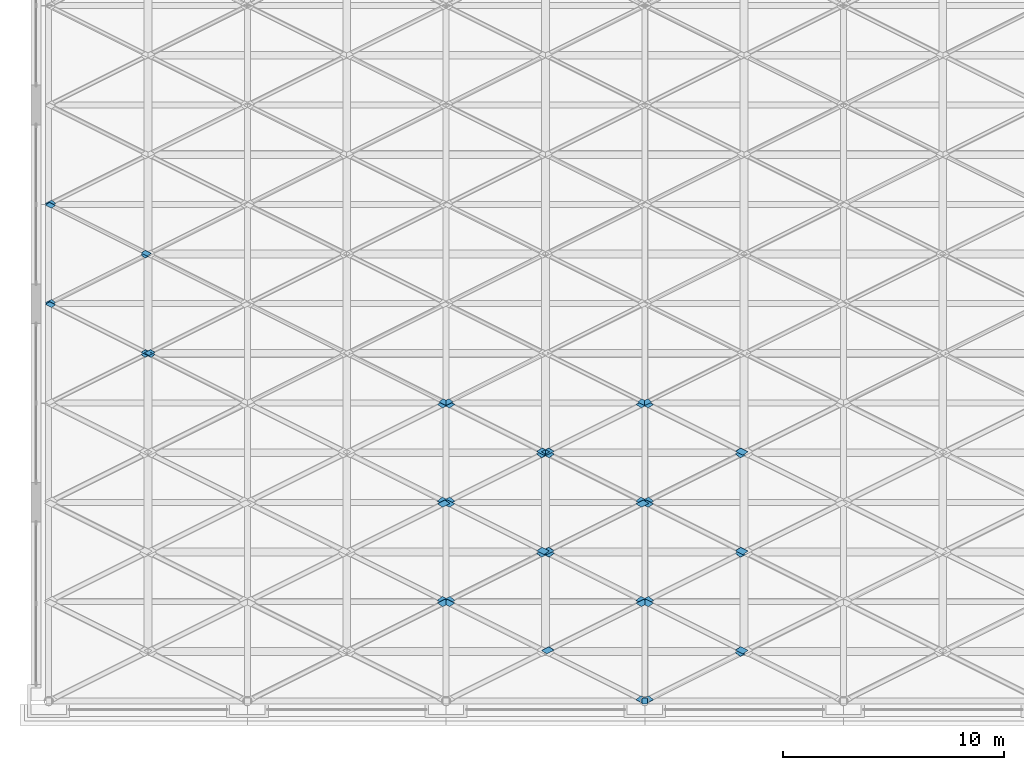
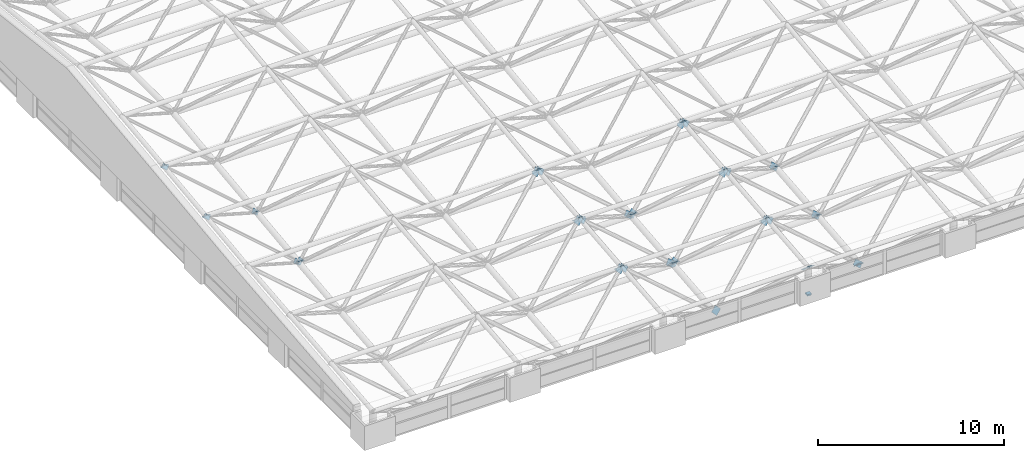
# One storey, part 28 of 53: 52 discrete accessories.
"""IFC4 building model written with IfcOpenShell, lengths in metres."""

from ifc_helpers import new_model, si_unit, direction, frame, origin, origin_2d, place, context, subcontext, project, spatial, polyline, rectangle, outline, extrude, material, layer, layer_set, type_object, element, save


model = new_model("IFC4")

# Units and contexts
model_context = context("Model", 3, precision=1e-05, world=origin(), true_north=direction((0.0, 1.0)))
body_context = subcontext(model_context, "Body", "Model", "MODEL_VIEW")
ifc_project = project(units=[si_unit("LENGTHUNIT", "METRE"), si_unit("AREAUNIT", "SQUARE_METRE"), si_unit("VOLUMEUNIT", "CUBIC_METRE"), si_unit("PLANEANGLEUNIT", "RADIAN"), si_unit("MASSUNIT", "GRAM", prefix="KILO")], contexts=[model_context])

# Site, building, storey
site_placement = place(None, origin())
site = spatial("IfcSite", under=ifc_project, at=site_placement, CompositionType="ELEMENT")
building_placement = place(site_placement, origin())
building = spatial("IfcBuilding", under=site, at=building_placement, Name="Aravalli Gate Trade Fair Centre", CompositionType="ELEMENT")
storey_placement = place(building_placement, frame((0.0, 0.0, 25.199951171875)))
storey = spatial("IfcBuildingStorey", under=building, at=storey_placement, Name="ROOF LEVEL 2", CompositionType="ELEMENT", Elevation=25.199951171875)

# Discrete accessories
ifc_material = material(Name="Steel E350", Category="steel")
discrete_accessory_type_1 = type_object("IfcDiscreteAccessoryType", Name="Bearing shoe fixed", PredefinedType="BRACKET", material=ifc_material)
discrete_accessory_1_placement = place(storey_placement, frame((33.0, 46.0, 0.0), z_axis=(0.0, 0.0, 1.0), x_axis=(1.0, 0.0, 0.0)))
element("IfcDiscreteAccessory", 1, at=discrete_accessory_1_placement, inside=storey, type_object=discrete_accessory_type_1, Name="Bearing shoe A4 (fixed)", PredefinedType="BRACKET", context=body_context, shape_type="SweptSolid", body=[
    extrude(rectangle(XDim=0.260009765625, YDim=0.260009765625, at=origin_2d()), origin(), (0.0, 0.0, 1.0), 0.10009765625),
])
ifc_layer_1 = layer(ifc_material, 0.011962890625)
ifc_layer_set_1 = layer_set([ifc_layer_1], Name="Steel E350")
discrete_accessory_type_2 = type_object("IfcDiscreteAccessoryType", Name="Gusset plate 291 x 291 x 12", PredefinedType="USERDEFINED", material=ifc_layer_set_1)
discrete_accessory_2_placement = place(storey_placement, frame((10.181884765625, 61.713134765625, 0.479248046875), z_axis=(0.000260921892, 0.770886805608, 0.636972106814), x_axis=(0.786233024012, 0.393446097564, -0.476484837392)))
element("IfcDiscreteAccessory", 2, at=discrete_accessory_2_placement, inside=storey, type_object=discrete_accessory_type_2, Name="Gusset plate Space frame web diagonal D2A end B", ObjectType="GUSSET PLATE", PredefinedType="USERDEFINED", context=body_context, shape_type="SweptSolid", body=[
    extrude(outline(polyline([(0.0, 0.0), (0.3704496717105797, -1.3877787807814457e-17), (0.37041105616888137, -0.29044341854454775), (-0.00023056696357631745, -0.2902925567125407), (0.0, 0.0)])), origin(), (0.0, 0.0, -1.0), 0.011962890625),
])
for number, where, z_axis, x_axis, name in (
    (3, (24.138916015625, 59.691650390625, 2.92724609375), (-6.9765199e-05, 0.771154883137, 0.636647580178), (-0.786484474244, -0.393242254842, 0.476238071536), "Gusset plate Space frame web diagonal D2A end A"),
    (4, (33.138916015625, 59.691650390625, 2.92724609375), (-6.9765199e-05, 0.771154883137, 0.636647580178), (-0.786484474244, -0.393242254842, 0.476238071536), "Gusset plate Space frame web diagonal D2A end A"),
    (5, (6.138916015625, 64.191650390625, 3.477294921875), (-6.9765199e-05, 0.771154883137, 0.636647580178), (-0.786484474244, -0.393242254842, 0.476238071536), "Gusset plate Space frame web diagonal D2A end A"),
):
    element("IfcDiscreteAccessory", number, at=place(storey_placement, frame(where, z_axis=z_axis, x_axis=x_axis)), inside=storey, type_object=discrete_accessory_type_2, Name=name, ObjectType="GUSSET PLATE", PredefinedType="USERDEFINED", context=body_context, shape_type="SweptSolid", body=[
        extrude(outline(polyline([(0.0, 0.0), (0.37064165383501635, -1.3877787807814457e-17), (0.3706783195979393, 0.29059144692340316), (0.00022867857401766278, 0.2904406632211646), (0.0, 0.0)])), origin(), (0.0, 0.0, -1.0), 0.011962890625),
    ])
discrete_accessory_3_placement = place(storey_placement, frame((10.181884765625, 66.213134765625, 1.029052734375), z_axis=(-6.9765199e-05, 0.771154883137, 0.636647580178), x_axis=(0.786233023991, 0.393446013556, -0.476484906794)))
element("IfcDiscreteAccessory", 6, at=discrete_accessory_3_placement, inside=storey, type_object=discrete_accessory_type_2, Name="Gusset plate Space frame web diagonal D2A end B", ObjectType="GUSSET PLATE", PredefinedType="USERDEFINED", context=body_context, shape_type="SweptSolid", body=[
    extrude(outline(polyline([(0.0, 0.0), (0.37044967171058096, -2.7755575615628914e-17), (0.3702947268495056, -0.290591407927876), (-0.0003468962829482891, -0.29044054608337494), (0.0, 0.0)])), origin(), (0.0, 0.0, -1.0), 0.011962890625),
])
discrete_accessory_4_placement = place(storey_placement, frame((10.638916015625, 61.567626953125, 0.6552734375), z_axis=(-0.000260921892, 0.770886805608, 0.636972106814), x_axis=(-0.786484474223, 0.393242170877, -0.476238140902)))
element("IfcDiscreteAccessory", 7, at=discrete_accessory_4_placement, inside=storey, type_object=discrete_accessory_type_2, Name="Gusset plate Space frame web diagonal D2B end B", ObjectType="GUSSET PLATE", PredefinedType="USERDEFINED", context=body_context, shape_type="SweptSolid", body=[
    extrude(outline(polyline([(0.0, 0.0), (0.37064165383501513, 1.3877787807814457e-17), (0.37056205053393565, -0.29044341020294784), (0.00011240951001027788, -0.2902926265131968), (0.0, 0.0)])), origin(), (0.0, 0.0, -1.0), 0.011962890625),
])
for number, where, z_axis, x_axis, name in (
    (8, (23.681884765625, 59.546142578125, 3.103515625), (6.9765199e-05, 0.771154883137, 0.636647580178), (0.786233023991, -0.393446013556, 0.476484906794), "Gusset plate Space frame web diagonal D2B end A"),
    (9, (32.681884765625, 59.546142578125, 3.103515625), (6.9765199e-05, 0.771154883137, 0.636647580178), (0.786233023991, -0.393446013556, 0.476484906794), "Gusset plate Space frame web diagonal D2B end A"),
):
    element("IfcDiscreteAccessory", number, at=place(storey_placement, frame(where, z_axis=z_axis, x_axis=x_axis)), inside=storey, type_object=discrete_accessory_type_2, Name=name, ObjectType="GUSSET PLATE", PredefinedType="USERDEFINED", context=body_context, shape_type="SweptSolid", body=[
        extrude(outline(polyline([(0.0, 0.0), (0.37044967171058096, 2.7755575615628914e-17), (0.3702947268495056, 0.290591407927876), (-0.0003468962829482891, 0.29044054608337494), (0.0, 0.0)])), origin(), (0.0, 0.0, -1.0), 0.011962890625),
    ])
discrete_accessory_5_placement = place(storey_placement, frame((6.12158203125, 63.824462890625, 3.455078125), z_axis=(-5.9235462e-05, -0.824355565608, 0.566072343383), x_axis=(-0.74910175115, 0.37503400761, 0.546073309694)))
element("IfcDiscreteAccessory", 10, at=discrete_accessory_5_placement, inside=storey, type_object=discrete_accessory_type_2, Name="Gusset plate Space frame web diagonal D2C end A", ObjectType="GUSSET PLATE", PredefinedType="USERDEFINED", context=body_context, shape_type="SweptSolid", body=[
    extrude(outline(polyline([(0.0, 0.0), (0.37056099002046733, -1.3877787807814457e-17), (0.3708571273038952, -0.29037522366126584), (0.00024656979283793623, -0.29068772448272373), (0.0, 0.0)])), origin(), (0.0, 0.0, -1.0), 0.011962890625),
])
discrete_accessory_6_placement = place(storey_placement, frame((10.18603515625, 61.792236328125, 0.4970703125), z_axis=(-0.000338926475, -0.824215745649, 0.566275807141), x_axis=(0.749929468437, -0.374811008577, -0.545089442403)))
element("IfcDiscreteAccessory", 11, at=discrete_accessory_6_placement, inside=storey, type_object=discrete_accessory_type_2, Name="Gusset plate Space frame web diagonal D2C end B", ObjectType="GUSSET PLATE", PredefinedType="USERDEFINED", context=body_context, shape_type="SweptSolid", body=[
    extrude(outline(polyline([(0.0, 0.0), (0.3704775800363668, 1.3877787807814457e-17), (0.37054452148215117, 0.29037536695413646), (0.00011695121776518491, 0.29068780553250784), (0.0, 0.0)])), origin(), (0.0, 0.0, -1.0), 0.011962890625),
])
discrete_accessory_7_placement = place(storey_placement, frame((6.12158203125, 68.324462890625, 4.005126953125), z_axis=(-5.9235462e-05, -0.824355565608, 0.566072343383), x_axis=(-0.74937131646, 0.374861397834, 0.545821914622)))
element("IfcDiscreteAccessory", 12, at=discrete_accessory_7_placement, inside=storey, type_object=discrete_accessory_type_2, Name="Gusset plate Space frame web diagonal D2C end A", ObjectType="GUSSET PLATE", PredefinedType="USERDEFINED", context=body_context, shape_type="SweptSolid", body=[
    extrude(outline(polyline([(0.0, 0.0), (0.3704277020236978, 0.0), (0.37073891027907924, -0.290526143046557), (-5.001029550574798e-06, -0.29053697785674903), (0.0, 0.0)])), origin(), (0.0, 0.0, -1.0), 0.011962890625),
])
discrete_accessory_8_placement = place(storey_placement, frame((10.18603515625, 66.292236328125, 1.047119140625), z_axis=(-0.000356491483, -0.824386555112, 0.566027102411), x_axis=(0.749660046124, -0.374830119882, -0.545446786108)))
element("IfcDiscreteAccessory", 13, at=discrete_accessory_8_placement, inside=storey, type_object=discrete_accessory_type_2, Name="Gusset plate Space frame web diagonal D2C end B", ObjectType="GUSSET PLATE", PredefinedType="USERDEFINED", context=body_context, shape_type="SweptSolid", body=[
    extrude(outline(polyline([(0.0, 0.0), (0.37061069570280314, 0.0), (0.3704262257769532, 0.2905262593825685), (-1.4474536517566916e-06, 0.29068783726431885), (0.0, 0.0)])), origin(), (0.0, 0.0, -1.0), 0.011962890625),
])
discrete_accessory_9_placement = place(storey_placement, frame((10.62158203125, 61.91552734375, 0.6767578125), z_axis=(0.000338926475, -0.824215745649, 0.566275807141), x_axis=(-0.74937124219, -0.375168906268, -0.545610697428)))
element("IfcDiscreteAccessory", 14, at=discrete_accessory_9_placement, inside=storey, type_object=discrete_accessory_type_2, Name="Gusset plate Space frame web diagonal D2D end B", ObjectType="GUSSET PLATE", PredefinedType="USERDEFINED", context=body_context, shape_type="SweptSolid", body=[
    extrude(outline(polyline([(0.0, 0.0), (0.3704277020281311, 2.7755575615628914e-17), (0.37060567875441897, 0.29037532012757467), (0.00012823049953920862, 0.29068780077573153), (0.0, 0.0)])), origin(), (0.0, 0.0, -1.0), 0.011962890625),
])
discrete_accessory_10_placement = place(storey_placement, frame((6.138671875, 68.69140625, 4.027099609375), z_axis=(0.000259688153, 0.77158167438, 0.636130216483), x_axis=(-0.786189750281, -0.392961505637, 0.476955901148)))
element("IfcDiscreteAccessory", 15, at=discrete_accessory_10_placement, inside=storey, type_object=discrete_accessory_type_2, Name="Gusset plate Space frame web diagonal D3A end A", ObjectType="GUSSET PLATE", PredefinedType="USERDEFINED", context=body_context, shape_type="SweptSolid", body=[
    extrude(outline(polyline([(0.0, 0.0), (0.37047009323158403, -1.3877787807814457e-17), (0.3706453255393415, 0.29059138113822636), (7.929444017017173e-05, 0.29046925152010133), (0.0, 0.0)])), origin(), (0.0, 0.0, -1.0), 0.011962890625),
])
ifc_layer_2 = layer(ifc_material, 0.011962890625)
ifc_layer_set_2 = layer_set([ifc_layer_2], Name="Steel E350")
discrete_accessory_type_3 = type_object("IfcDiscreteAccessoryType", Name="Gusset plate 367 x 367 x 12", PredefinedType="USERDEFINED", material=ifc_layer_set_2)
discrete_accessory_11_placement = place(storey_placement, frame((33.173095703125, 46.23876953125, 1.51513671875), z_axis=(-0.000106895173, 0.77673595722, 0.629826358082), x_axis=(-0.783044443413, -0.391795440284, 0.483050445204)))
element("IfcDiscreteAccessory", 16, at=discrete_accessory_11_placement, inside=storey, type_object=discrete_accessory_type_3, Name="Gusset plate Space frame web diagonal D1A end A", ObjectType="GUSSET PLATE", PredefinedType="USERDEFINED", context=body_context, shape_type="SweptSolid", body=[
    extrude(outline(polyline([(0.0, 0.0), (0.4467862821424865, 0.0), (0.4467086389724838, 0.36691841645657763), (-7.764317000273635e-05, 0.36691841645657763), (0.0, 0.0)])), origin(), (0.0, 0.0, -1.0), 0.011962890625),
])
discrete_accessory_12_placement = place(storey_placement, frame((37.0986328125, 48.201416015625, -0.905517578125), z_axis=(-0.000106895173, 0.77673595722, 0.629826358082), x_axis=(0.783044443413, 0.391795440284, -0.483050445204)))
element("IfcDiscreteAccessory", 17, at=discrete_accessory_12_placement, inside=storey, type_object=discrete_accessory_type_3, Name="Gusset plate Space frame web diagonal D1A end B", ObjectType="GUSSET PLATE", PredefinedType="USERDEFINED", context=body_context, shape_type="SweptSolid", body=[
    extrude(outline(polyline([(0.0, 0.0), (0.4467862821424865, 0.0), (0.4468639253124893, -0.3669184164565776), (7.764317000273635e-05, -0.36691841645657763), (0.0, 0.0)])), origin(), (0.0, 0.0, -1.0), 0.011962890625),
])
discrete_accessory_13_placement = place(storey_placement, frame((24.173095703125, 50.73876953125, 1.965087890625), z_axis=(-0.000106895173, 0.77673595722, 0.629826358082), x_axis=(-0.783044443413, -0.391795440284, 0.483050445204)))
element("IfcDiscreteAccessory", 18, at=discrete_accessory_13_placement, inside=storey, type_object=discrete_accessory_type_3, Name="Gusset plate Space frame web diagonal D1A end A", ObjectType="GUSSET PLATE", PredefinedType="USERDEFINED", context=body_context, shape_type="SweptSolid", body=[
    extrude(outline(polyline([(0.0, 0.0), (0.4467862821424865, 0.0), (0.4467086389724838, 0.36691841645657763), (-7.764317000273635e-05, 0.36691841645657763), (0.0, 0.0)])), origin(), (0.0, 0.0, -1.0), 0.011962890625),
])
discrete_accessory_14_placement = place(storey_placement, frame((28.0986328125, 52.701416015625, -0.45556640625), z_axis=(-0.000106895173, 0.77673595722, 0.629826358082), x_axis=(0.783044443413, 0.391795440284, -0.483050445204)))
element("IfcDiscreteAccessory", 19, at=discrete_accessory_14_placement, inside=storey, type_object=discrete_accessory_type_3, Name="Gusset plate Space frame web diagonal D1A end B", ObjectType="GUSSET PLATE", PredefinedType="USERDEFINED", context=body_context, shape_type="SweptSolid", body=[
    extrude(outline(polyline([(0.0, 0.0), (0.4467862821424865, 0.0), (0.4468639253124893, -0.3669184164565776), (7.764317000273635e-05, -0.36691841645657763), (0.0, 0.0)])), origin(), (0.0, 0.0, -1.0), 0.011962890625),
])
discrete_accessory_15_placement = place(storey_placement, frame((33.173095703125, 50.73876953125, 1.965087890625), z_axis=(-0.000106895173, 0.77673595722, 0.629826358082), x_axis=(-0.783044443413, -0.391795440284, 0.483050445204)))
element("IfcDiscreteAccessory", 20, at=discrete_accessory_15_placement, inside=storey, type_object=discrete_accessory_type_3, Name="Gusset plate Space frame web diagonal D1A end A", ObjectType="GUSSET PLATE", PredefinedType="USERDEFINED", context=body_context, shape_type="SweptSolid", body=[
    extrude(outline(polyline([(0.0, 0.0), (0.4467862821424865, 0.0), (0.4467086389724838, 0.36691841645657763), (-7.764317000273635e-05, 0.36691841645657763), (0.0, 0.0)])), origin(), (0.0, 0.0, -1.0), 0.011962890625),
])
discrete_accessory_16_placement = place(storey_placement, frame((37.0986328125, 52.701416015625, -0.45556640625), z_axis=(-0.000106895173, 0.77673595722, 0.629826358082), x_axis=(0.783044443413, 0.391795440284, -0.483050445204)))
element("IfcDiscreteAccessory", 21, at=discrete_accessory_16_placement, inside=storey, type_object=discrete_accessory_type_3, Name="Gusset plate Space frame web diagonal D1A end B", ObjectType="GUSSET PLATE", PredefinedType="USERDEFINED", context=body_context, shape_type="SweptSolid", body=[
    extrude(outline(polyline([(0.0, 0.0), (0.4467862821424865, 0.0), (0.4468639253124893, -0.3669184164565776), (7.764317000273635e-05, -0.36691841645657763), (0.0, 0.0)])), origin(), (0.0, 0.0, -1.0), 0.011962890625),
])
discrete_accessory_17_placement = place(storey_placement, frame((24.173095703125, 55.23876953125, 2.4150390625), z_axis=(-0.000106895173, 0.77673595722, 0.629826358082), x_axis=(-0.783044443413, -0.391795440284, 0.483050445204)))
element("IfcDiscreteAccessory", 22, at=discrete_accessory_17_placement, inside=storey, type_object=discrete_accessory_type_3, Name="Gusset plate Space frame web diagonal D1A end A", ObjectType="GUSSET PLATE", PredefinedType="USERDEFINED", context=body_context, shape_type="SweptSolid", body=[
    extrude(outline(polyline([(0.0, 0.0), (0.4467862821424865, 0.0), (0.4467086389724838, 0.36691841645657763), (-7.764317000273635e-05, 0.36691841645657763), (0.0, 0.0)])), origin(), (0.0, 0.0, -1.0), 0.011962890625),
])
discrete_accessory_18_placement = place(storey_placement, frame((28.0986328125, 57.201416015625, -0.005615234375), z_axis=(-0.000106895173, 0.77673595722, 0.629826358082), x_axis=(0.783044443413, 0.391795440284, -0.483050445204)))
element("IfcDiscreteAccessory", 23, at=discrete_accessory_18_placement, inside=storey, type_object=discrete_accessory_type_3, Name="Gusset plate Space frame web diagonal D1A end B", ObjectType="GUSSET PLATE", PredefinedType="USERDEFINED", context=body_context, shape_type="SweptSolid", body=[
    extrude(outline(polyline([(0.0, 0.0), (0.4467862821424865, 0.0), (0.4468639253124893, -0.3669184164565776), (7.764317000273635e-05, -0.36691841645657763), (0.0, 0.0)])), origin(), (0.0, 0.0, -1.0), 0.011962890625),
])
discrete_accessory_19_placement = place(storey_placement, frame((33.173095703125, 55.23876953125, 2.4150390625), z_axis=(-0.000106895173, 0.77673595722, 0.629826358082), x_axis=(-0.783044443413, -0.391795440284, 0.483050445204)))
element("IfcDiscreteAccessory", 24, at=discrete_accessory_19_placement, inside=storey, type_object=discrete_accessory_type_3, Name="Gusset plate Space frame web diagonal D1A end A", ObjectType="GUSSET PLATE", PredefinedType="USERDEFINED", context=body_context, shape_type="SweptSolid", body=[
    extrude(outline(polyline([(0.0, 0.0), (0.4467862821424865, 0.0), (0.4467086389724838, 0.36691841645657763), (-7.764317000273635e-05, 0.36691841645657763), (0.0, 0.0)])), origin(), (0.0, 0.0, -1.0), 0.011962890625),
])
discrete_accessory_20_placement = place(storey_placement, frame((37.0986328125, 57.201416015625, -0.005615234375), z_axis=(-0.000106895173, 0.77673595722, 0.629826358082), x_axis=(0.783044443413, 0.391795440284, -0.483050445204)))
element("IfcDiscreteAccessory", 25, at=discrete_accessory_20_placement, inside=storey, type_object=discrete_accessory_type_3, Name="Gusset plate Space frame web diagonal D1A end B", ObjectType="GUSSET PLATE", PredefinedType="USERDEFINED", context=body_context, shape_type="SweptSolid", body=[
    extrude(outline(polyline([(0.0, 0.0), (0.4467862821424865, 0.0), (0.4468639253124893, -0.3669184164565776), (7.764317000273635e-05, -0.36691841645657763), (0.0, 0.0)])), origin(), (0.0, 0.0, -1.0), 0.011962890625),
])
for number, where, z_axis, x_axis, name in (
    (26, (32.5986328125, 46.057861328125, 1.73828125), (0.000106895173, 0.77673595722, 0.629826358082), (0.783044443413, -0.391795440284, 0.483050445204), "Gusset plate Space frame web diagonal D1B end A"),
    (27, (23.5986328125, 50.557861328125, 2.188232421875), (0.000106895173, 0.77673595722, 0.629826358082), (0.783044443413, -0.391795440284, 0.483050445204), "Gusset plate Space frame web diagonal D1B end A"),
    (28, (32.5986328125, 50.557861328125, 2.188232421875), (0.000106895173, 0.77673595722, 0.629826358082), (0.783044443413, -0.391795440284, 0.483050445204), "Gusset plate Space frame web diagonal D1B end A"),
):
    element("IfcDiscreteAccessory", number, at=place(storey_placement, frame(where, z_axis=z_axis, x_axis=x_axis)), inside=storey, type_object=discrete_accessory_type_3, Name=name, ObjectType="GUSSET PLATE", PredefinedType="USERDEFINED", context=body_context, shape_type="SweptSolid", body=[
        extrude(outline(polyline([(0.0, 0.0), (0.4467862821424865, 0.0), (0.4468639253124893, 0.3669184164565776), (7.764317000273635e-05, 0.36691841645657763), (0.0, 0.0)])), origin(), (0.0, 0.0, -1.0), 0.011962890625),
    ])
discrete_accessory_21_placement = place(storey_placement, frame((28.673095703125, 52.5205078125, -0.232421875), z_axis=(0.000106895173, 0.77673595722, 0.629826358082), x_axis=(-0.783044443413, 0.391795440284, -0.483050445204)))
element("IfcDiscreteAccessory", 29, at=discrete_accessory_21_placement, inside=storey, type_object=discrete_accessory_type_3, Name="Gusset plate Space frame web diagonal D1B end B", ObjectType="GUSSET PLATE", PredefinedType="USERDEFINED", context=body_context, shape_type="SweptSolid", body=[
    extrude(outline(polyline([(0.0, 0.0), (0.4467862821424865, 0.0), (0.4467086389724838, -0.36691841645657763), (-7.764317000273635e-05, -0.36691841645657763), (0.0, 0.0)])), origin(), (0.0, 0.0, -1.0), 0.011962890625),
])
for number, where, z_axis, x_axis, name in (
    (30, (23.5986328125, 55.057861328125, 2.63818359375), (0.000106895173, 0.77673595722, 0.629826358082), (0.783044443413, -0.391795440284, 0.483050445204), "Gusset plate Space frame web diagonal D1B end A"),
    (31, (32.5986328125, 55.057861328125, 2.63818359375), (0.000106895173, 0.77673595722, 0.629826358082), (0.783044443413, -0.391795440284, 0.483050445204), "Gusset plate Space frame web diagonal D1B end A"),
):
    element("IfcDiscreteAccessory", number, at=place(storey_placement, frame(where, z_axis=z_axis, x_axis=x_axis)), inside=storey, type_object=discrete_accessory_type_3, Name=name, ObjectType="GUSSET PLATE", PredefinedType="USERDEFINED", context=body_context, shape_type="SweptSolid", body=[
        extrude(outline(polyline([(0.0, 0.0), (0.4467862821424865, 0.0), (0.4468639253124893, 0.3669184164565776), (7.764317000273635e-05, 0.36691841645657763), (0.0, 0.0)])), origin(), (0.0, 0.0, -1.0), 0.011962890625),
    ])
discrete_accessory_22_placement = place(storey_placement, frame((28.673095703125, 57.0205078125, 0.217529296875), z_axis=(0.000106895173, 0.77673595722, 0.629826358082), x_axis=(-0.783044443413, 0.391795440284, -0.483050445204)))
element("IfcDiscreteAccessory", 32, at=discrete_accessory_22_placement, inside=storey, type_object=discrete_accessory_type_3, Name="Gusset plate Space frame web diagonal D1B end B", ObjectType="GUSSET PLATE", PredefinedType="USERDEFINED", context=body_context, shape_type="SweptSolid", body=[
    extrude(outline(polyline([(0.0, 0.0), (0.4467862821424865, 0.0), (0.4467086389724838, -0.36691841645657763), (-7.764317000273635e-05, -0.36691841645657763), (0.0, 0.0)])), origin(), (0.0, 0.0, -1.0), 0.011962890625),
])
for number, where, z_axis, x_axis, name in (
    (33, (24.155517578125, 50.278076171875, 1.9423828125), (-0.000292195819, -0.820164189793, 0.572128146837), (-0.753132087854, 0.376566043927, 0.539434956975), "Gusset plate Space frame web diagonal D1C end A"),
    (34, (33.155517578125, 50.278076171875, 1.9423828125), (-0.000292195819, -0.820164189793, 0.572128146837), (-0.753132087854, 0.376566043927, 0.539434956975), "Gusset plate Space frame web diagonal D1C end A"),
):
    element("IfcDiscreteAccessory", number, at=place(storey_placement, frame(where, z_axis=z_axis, x_axis=x_axis)), inside=storey, type_object=discrete_accessory_type_3, Name=name, ObjectType="GUSSET PLATE", PredefinedType="USERDEFINED", context=body_context, shape_type="SweptSolid", body=[
        extrude(outline(polyline([(0.0, 0.0), (0.4467022275054028, -2.7755575615628914e-17), (0.4467362528213333, -0.36669377191730207), (3.402531593046931e-05, -0.366693771917302), (0.0, 0.0)])), origin(), (0.0, 0.0, -1.0), 0.011962890625),
    ])
discrete_accessory_23_placement = place(storey_placement, frame((37.103271484375, 48.30419921875, -0.886962890625), z_axis=(-0.000292195819, -0.820164189793, 0.572128146837), x_axis=(0.753132087854, -0.376566043927, -0.539434956975)))
element("IfcDiscreteAccessory", 35, at=discrete_accessory_23_placement, inside=storey, type_object=discrete_accessory_type_3, Name="Gusset plate Space frame web diagonal D1C end B", ObjectType="GUSSET PLATE", PredefinedType="USERDEFINED", context=body_context, shape_type="SweptSolid", body=[
    extrude(outline(polyline([(0.0, 0.0), (0.4467022275054028, -2.7755575615628914e-17), (0.4466682021894723, 0.366693771917302), (-3.402531593046931e-05, 0.366693771917302), (0.0, 0.0)])), origin(), (0.0, 0.0, -1.0), 0.011962890625),
])
discrete_accessory_24_placement = place(storey_placement, frame((24.155517578125, 54.778076171875, 2.392333984375), z_axis=(-4.9126691e-05, -0.820140995503, 0.572161467667), x_axis=(-0.752910034648, 0.376583216139, 0.539732860821)))
element("IfcDiscreteAccessory", 36, at=discrete_accessory_24_placement, inside=storey, type_object=discrete_accessory_type_3, Name="Gusset plate Space frame web diagonal D1C end A", ObjectType="GUSSET PLATE", PredefinedType="USERDEFINED", context=body_context, shape_type="SweptSolid", body=[
    extrude(outline(polyline([(0.0, 0.0), (0.4468339673229258, 0.0), (0.4468599899280901, -0.36654297340046177), (0.00015779332313807515, -0.366693732894023), (0.0, 0.0)])), origin(), (0.0, 0.0, -1.0), 0.011962890625),
])
discrete_accessory_25_placement = place(storey_placement, frame((28.103271484375, 52.80419921875, -0.436767578125), z_axis=(-4.9126691e-05, -0.820140995503, 0.572161467667), x_axis=(0.752910034648, -0.376583216139, -0.539732860821)))
element("IfcDiscreteAccessory", 37, at=discrete_accessory_25_placement, inside=storey, type_object=discrete_accessory_type_3, Name="Gusset plate Space frame web diagonal D1C end B", ObjectType="GUSSET PLATE", PredefinedType="USERDEFINED", context=body_context, shape_type="SweptSolid", body=[
    extrude(outline(polyline([(0.0, 0.0), (0.4468339673229258, 0.0), (0.44667617399978776, 0.366693732894023), (-2.6022605164321977e-05, 0.3665429734004617), (0.0, 0.0)])), origin(), (0.0, 0.0, -1.0), 0.011962890625),
])
discrete_accessory_26_placement = place(storey_placement, frame((33.155517578125, 54.778076171875, 2.392333984375), z_axis=(-4.9126691e-05, -0.820140995503, 0.572161467667), x_axis=(-0.752910034648, 0.376583216139, 0.539732860821)))
element("IfcDiscreteAccessory", 38, at=discrete_accessory_26_placement, inside=storey, type_object=discrete_accessory_type_3, Name="Gusset plate Space frame web diagonal D1C end A", ObjectType="GUSSET PLATE", PredefinedType="USERDEFINED", context=body_context, shape_type="SweptSolid", body=[
    extrude(outline(polyline([(0.0, 0.0), (0.4468339673229258, 0.0), (0.4468599899280901, -0.36654297340046177), (0.00015779332313807515, -0.366693732894023), (0.0, 0.0)])), origin(), (0.0, 0.0, -1.0), 0.011962890625),
])
discrete_accessory_27_placement = place(storey_placement, frame((37.103271484375, 52.80419921875, -0.436767578125), z_axis=(-4.9126691e-05, -0.820140995503, 0.572161467667), x_axis=(0.752910034648, -0.376583216139, -0.539732860821)))
element("IfcDiscreteAccessory", 39, at=discrete_accessory_27_placement, inside=storey, type_object=discrete_accessory_type_3, Name="Gusset plate Space frame web diagonal D1C end B", ObjectType="GUSSET PLATE", PredefinedType="USERDEFINED", context=body_context, shape_type="SweptSolid", body=[
    extrude(outline(polyline([(0.0, 0.0), (0.4468339673229258, 0.0), (0.44667617399978776, 0.366693732894023), (-2.6022605164321977e-05, 0.3665429734004617), (0.0, 0.0)])), origin(), (0.0, 0.0, -1.0), 0.011962890625),
])
discrete_accessory_28_placement = place(storey_placement, frame((24.155517578125, 59.278076171875, 2.84228515625), z_axis=(-5.6748583e-05, -0.820281851296, 0.571959510117), x_axis=(-0.752910033129, 0.376455016564, 0.539822287904)))
element("IfcDiscreteAccessory", 40, at=discrete_accessory_28_placement, inside=storey, type_object=discrete_accessory_type_3, Name="Gusset plate Space frame web diagonal D1C end A", ObjectType="GUSSET PLATE", PredefinedType="USERDEFINED", context=body_context, shape_type="SweptSolid", body=[
    extrude(outline(polyline([(0.0, 0.0), (0.44683397278152426, 2.7755575615628914e-17), (0.44699177701993154, -0.3666937395408909), (0.0001578042384072914, -0.3666937395408909), (0.0, 0.0)])), origin(), (0.0, 0.0, -1.0), 0.011962890625),
])
discrete_accessory_29_placement = place(storey_placement, frame((28.103271484375, 57.30419921875, 0.01318359375), z_axis=(-5.6748583e-05, -0.820281851296, 0.571959510117), x_axis=(0.752910033129, -0.376455016564, -0.539822287904)))
element("IfcDiscreteAccessory", 41, at=discrete_accessory_29_placement, inside=storey, type_object=discrete_accessory_type_3, Name="Gusset plate Space frame web diagonal D1C end B", ObjectType="GUSSET PLATE", PredefinedType="USERDEFINED", context=body_context, shape_type="SweptSolid", body=[
    extrude(outline(polyline([(0.0, 0.0), (0.44683397278152426, 2.7755575615628914e-17), (0.446676168543117, 0.36669373954089096), (-0.0001578042384072914, 0.3666937395408909), (0.0, 0.0)])), origin(), (0.0, 0.0, -1.0), 0.011962890625),
])
discrete_accessory_30_placement = place(storey_placement, frame((33.155517578125, 59.278076171875, 2.84228515625), z_axis=(-5.6748583e-05, -0.820281851296, 0.571959510117), x_axis=(-0.752910033129, 0.376455016564, 0.539822287904)))
element("IfcDiscreteAccessory", 42, at=discrete_accessory_30_placement, inside=storey, type_object=discrete_accessory_type_3, Name="Gusset plate Space frame web diagonal D1C end A", ObjectType="GUSSET PLATE", PredefinedType="USERDEFINED", context=body_context, shape_type="SweptSolid", body=[
    extrude(outline(polyline([(0.0, 0.0), (0.44683397278152426, 2.7755575615628914e-17), (0.44699177701993154, -0.3666937395408909), (0.0001578042384072914, -0.3666937395408909), (0.0, 0.0)])), origin(), (0.0, 0.0, -1.0), 0.011962890625),
])
discrete_accessory_31_placement = place(storey_placement, frame((37.103271484375, 57.30419921875, 0.01318359375), z_axis=(-5.6748583e-05, -0.820281851296, 0.571959510117), x_axis=(0.752910033129, -0.376455016564, -0.539822287904)))
element("IfcDiscreteAccessory", 43, at=discrete_accessory_31_placement, inside=storey, type_object=discrete_accessory_type_3, Name="Gusset plate Space frame web diagonal D1C end B", ObjectType="GUSSET PLATE", PredefinedType="USERDEFINED", context=body_context, shape_type="SweptSolid", body=[
    extrude(outline(polyline([(0.0, 0.0), (0.44683397278152426, 2.7755575615628914e-17), (0.446676168543117, 0.36669373954089096), (-0.0001578042384072914, 0.3666937395408909), (0.0, 0.0)])), origin(), (0.0, 0.0, -1.0), 0.011962890625),
])
for number, where, z_axis, x_axis, name in (
    (44, (23.603271484375, 50.43603515625, 2.1689453125), (0.000292195819, -0.820164189793, 0.572128146837), (0.753132087854, 0.376566043927, 0.539434956975), "Gusset plate Space frame web diagonal D1D end A"),
    (45, (32.603271484375, 50.43603515625, 2.1689453125), (0.000292195819, -0.820164189793, 0.572128146837), (0.753132087854, 0.376566043927, 0.539434956975), "Gusset plate Space frame web diagonal D1D end A"),
):
    element("IfcDiscreteAccessory", number, at=place(storey_placement, frame(where, z_axis=z_axis, x_axis=x_axis)), inside=storey, type_object=discrete_accessory_type_3, Name=name, ObjectType="GUSSET PLATE", PredefinedType="USERDEFINED", context=body_context, shape_type="SweptSolid", body=[
        extrude(outline(polyline([(0.0, 0.0), (0.4467022275054028, 2.7755575615628914e-17), (0.4466682021894723, -0.366693771917302), (-3.402531593046931e-05, -0.366693771917302), (0.0, 0.0)])), origin(), (0.0, 0.0, -1.0), 0.011962890625),
    ])
discrete_accessory_32_placement = place(storey_placement, frame((28.655517578125, 48.462158203125, -0.660400390625), z_axis=(0.000292195819, -0.820164189793, 0.572128146837), x_axis=(-0.753132087854, -0.376566043927, -0.539434956975)))
element("IfcDiscreteAccessory", 46, at=discrete_accessory_32_placement, inside=storey, type_object=discrete_accessory_type_3, Name="Gusset plate Space frame web diagonal D1D end B", ObjectType="GUSSET PLATE", PredefinedType="USERDEFINED", context=body_context, shape_type="SweptSolid", body=[
    extrude(outline(polyline([(0.0, 0.0), (0.4467022275054028, 2.7755575615628914e-17), (0.4467362528213333, 0.36669377191730207), (3.402531593046931e-05, 0.366693771917302), (0.0, 0.0)])), origin(), (0.0, 0.0, -1.0), 0.011962890625),
])
for number, where, z_axis, x_axis, name in (
    (47, (23.603271484375, 54.93603515625, 2.618896484375), (4.9126691e-05, -0.820140995503, 0.572161467667), (0.753132104741, 0.376437815746, 0.539524423623), "Gusset plate Space frame web diagonal D1D end A"),
    (48, (32.603271484375, 54.93603515625, 2.618896484375), (4.9126691e-05, -0.820140995503, 0.572161467667), (0.753132104741, 0.376437815746, 0.539524423623), "Gusset plate Space frame web diagonal D1D end A"),
):
    element("IfcDiscreteAccessory", number, at=place(storey_placement, frame(where, z_axis=z_axis, x_axis=x_axis)), inside=storey, type_object=discrete_accessory_type_3, Name=name, ObjectType="GUSSET PLATE", PredefinedType="USERDEFINED", context=body_context, shape_type="SweptSolid", body=[
        extrude(outline(polyline([(0.0, 0.0), (0.4467022220451944, 0.0), (0.44679990563841726, -0.3665429613078707), (-3.4036236763179684e-05, -0.3666937652647241), (0.0, 0.0)])), origin(), (0.0, 0.0, -1.0), 0.011962890625),
    ])
discrete_accessory_33_placement = place(storey_placement, frame((28.655517578125, 52.962158203125, -0.21044921875), z_axis=(4.9126691e-05, -0.820140995503, 0.572161467667), x_axis=(-0.753132104741, -0.376437815746, -0.539524423623)))
element("IfcDiscreteAccessory", 49, at=discrete_accessory_33_placement, inside=storey, type_object=discrete_accessory_type_3, Name="Gusset plate Space frame web diagonal D1D end B", ObjectType="GUSSET PLATE", PredefinedType="USERDEFINED", context=body_context, shape_type="SweptSolid", body=[
    extrude(outline(polyline([(0.0, 0.0), (0.4467022220451944, 0.0), (0.44673625828195757, 0.3666937652647241), (-9.768359322287479e-05, 0.3665429613078708), (0.0, 0.0)])), origin(), (0.0, 0.0, -1.0), 0.011962890625),
])
for number, where, z_axis, x_axis, name in (
    (50, (23.603271484375, 59.43603515625, 3.06884765625), (5.6748583e-05, -0.820281851296, 0.571959510117), (0.752910033129, 0.376455016564, 0.539822287904), "Gusset plate Space frame web diagonal D1D end A"),
    (51, (32.603271484375, 59.43603515625, 3.06884765625), (5.6748583e-05, -0.820281851296, 0.571959510117), (0.752910033129, 0.376455016564, 0.539822287904), "Gusset plate Space frame web diagonal D1D end A"),
):
    element("IfcDiscreteAccessory", number, at=place(storey_placement, frame(where, z_axis=z_axis, x_axis=x_axis)), inside=storey, type_object=discrete_accessory_type_3, Name=name, ObjectType="GUSSET PLATE", PredefinedType="USERDEFINED", context=body_context, shape_type="SweptSolid", body=[
        extrude(outline(polyline([(0.0, 0.0), (0.44683397278152426, -2.7755575615628914e-17), (0.446676168543117, -0.36669373954089096), (-0.0001578042384072914, -0.3666937395408909), (0.0, 0.0)])), origin(), (0.0, 0.0, -1.0), 0.011962890625),
    ])
discrete_accessory_34_placement = place(storey_placement, frame((28.655517578125, 57.462158203125, 0.23974609375), z_axis=(5.6748583e-05, -0.820281851296, 0.571959510117), x_axis=(-0.752910033129, -0.376455016564, -0.539822287904)))
element("IfcDiscreteAccessory", 52, at=discrete_accessory_34_placement, inside=storey, type_object=discrete_accessory_type_3, Name="Gusset plate Space frame web diagonal D1D end B", ObjectType="GUSSET PLATE", PredefinedType="USERDEFINED", context=body_context, shape_type="SweptSolid", body=[
    extrude(outline(polyline([(0.0, 0.0), (0.44683397278152426, -2.7755575615628914e-17), (0.44699177701993154, 0.3666937395408909), (0.0001578042384072914, 0.3666937395408909), (0.0, 0.0)])), origin(), (0.0, 0.0, -1.0), 0.011962890625),
])

save(model, "model.ifc")
